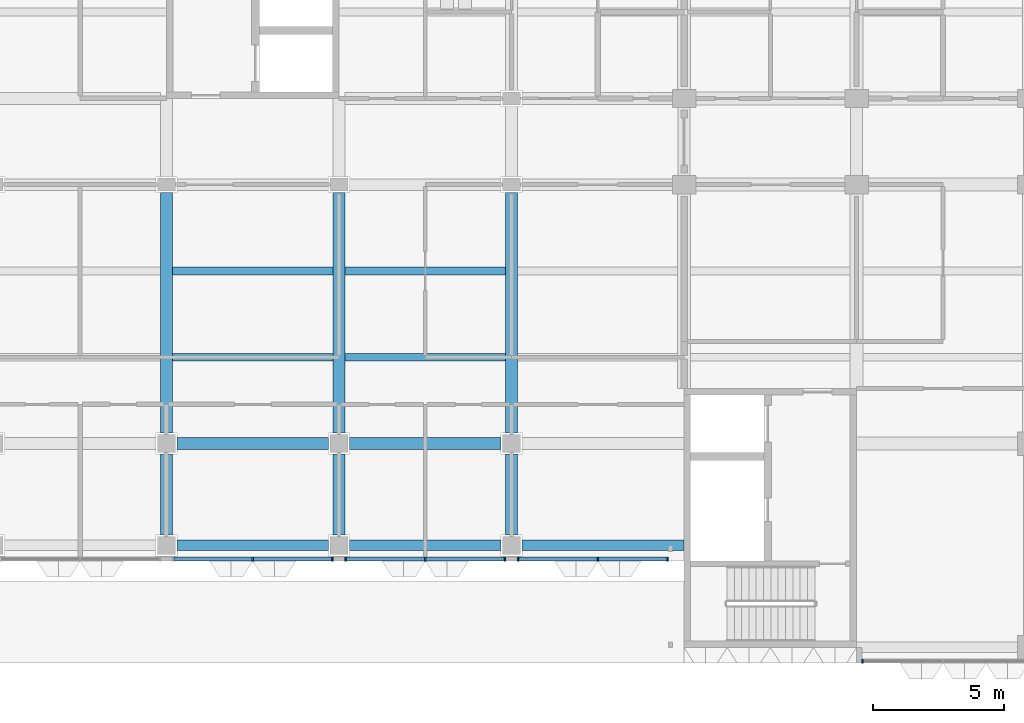
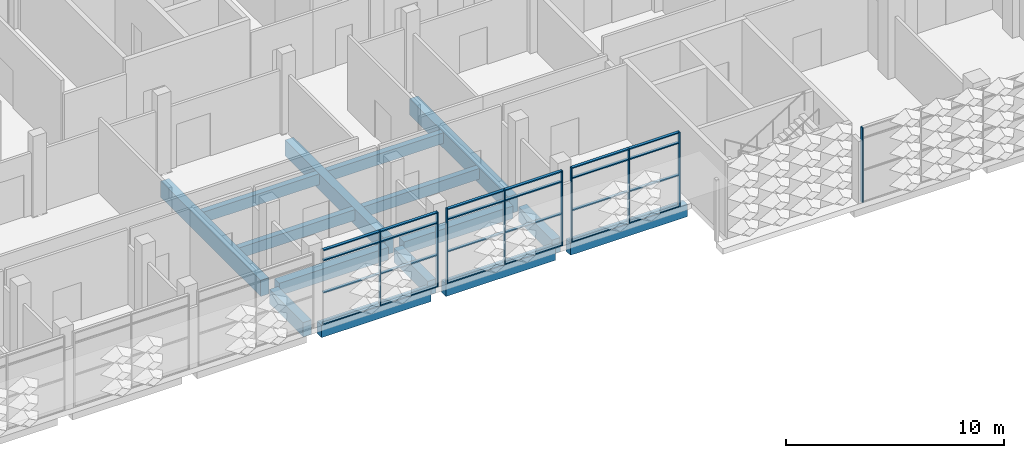
# One storey, part 9 of 109: 33 members, 15 beams, 4 elements without a shape of their own.
"""IFC4 building model written with IfcOpenShell, lengths in metres."""

from ifc_helpers import new_model, si_unit, direction, frame, origin, origin_2d, place, context, subcontext, project, spatial, rectangle, extrude, material, material_profile, profile_set, type_object, element, aggregate, save


model = new_model("IFC4")

# Units and contexts
model_context = context("Model", 3, precision=1e-05, world=origin(), true_north=direction((0.0, 1.0)))
body_context = subcontext(model_context, "Body", "Model", "MODEL_VIEW")
ifc_project = project(units=[si_unit("LENGTHUNIT", "METRE"), si_unit("AREAUNIT", "SQUARE_METRE"), si_unit("VOLUMEUNIT", "CUBIC_METRE"), si_unit("PLANEANGLEUNIT", "RADIAN"), si_unit("MASSUNIT", "GRAM", prefix="KILO")], contexts=[model_context])

# Site, building, storey
site_placement = place(None, origin())
site = spatial("IfcSite", under=ifc_project, at=site_placement, CompositionType="ELEMENT")
building_placement = place(site_placement, origin())
building = spatial("IfcBuilding", under=site, at=building_placement, Name="Lantern Court Research Institute", CompositionType="ELEMENT")
storey_placement = place(building_placement, frame((0.0, 0.0, 14.39990234375)))
storey = spatial("IfcBuildingStorey", under=building, at=storey_placement, Name="L03", CompositionType="ELEMENT", Elevation=14.39990234375)

# Curtain wall, members
ifc_material_1 = material(Name="Aluminium alloy 6063-T6", Category="aluminium")
curtain_wall_type_1 = type_object("IfcCurtainWallType", Name="Curtain wall 6150 x 4200 x 150 aluminium frame", PredefinedType="NOTDEFINED", material=ifc_material_1)
curtain_wall_1_placement = place(storey_placement, origin())
curtain_wall_1 = element("IfcCurtainWall", 1, at=curtain_wall_1_placement, inside=storey, type_object=curtain_wall_type_1, Name="Curtain wall CW053", PredefinedType="NOTDEFINED")
ifc_material_2 = material(Name="Aluminium alloy 6063-T6", Category="aluminium")
ifc_material_profile_1 = material_profile(ifc_material_2, rectangle(XDim=0.14990234375, YDim=0.06005859375, at=origin_2d()), Name="Mullion 150 x 60")
ifc_profile_set_1 = profile_set([ifc_material_profile_1], Name="Aluminium alloy 6063-T6")
member_type_1 = type_object("IfcMemberType", Name="Mullion 150 x 60 aluminium", PredefinedType="MULLION", material=ifc_profile_set_1)
member_1_placement = place(storey_placement, frame((36.300048828125, -4.425048828125, 0.0), z_axis=(0.0, 0.0, 1.0), x_axis=(0.0, -1.0, 0.0)))
member_1 = element("IfcMember", 2, at=member_1_placement, type_object=member_type_1, Name="CW053 mullion 2", PredefinedType="MULLION", context=body_context, shape_type="SweptSolid", body=[
    extrude(rectangle(XDim=0.14990234375, YDim=0.06005859375, at=origin_2d()), origin(), (0.0, 0.0, 1.0), 4.2001953125),
])
member_2_placement = place(storey_placement, frame((39.344970703125, -4.425048828125, 0.0), z_axis=(0.0, 0.0, 1.0), x_axis=(0.0, -1.0, 0.0)))
member_2 = element("IfcMember", 3, at=member_2_placement, type_object=member_type_1, Name="CW053 mullion 3", PredefinedType="MULLION", context=body_context, shape_type="SweptSolid", body=[
    extrude(rectangle(XDim=0.14990234375, YDim=0.06005859375, at=origin_2d()), origin(), (0.0, 0.0, 1.0), 4.2001953125),
])

curtain_wall_2_placement = place(storey_placement, origin())
curtain_wall_2 = element("IfcCurtainWall", 4, at=curtain_wall_2_placement, inside=storey, type_object=curtain_wall_type_1, Name="Curtain wall CW054", PredefinedType="NOTDEFINED")
member_3_placement = place(storey_placement, frame((39.85498046875, -4.425048828125, 0.0), z_axis=(0.0, 0.0, 1.0), x_axis=(0.0, -1.0, 0.0)))
member_3 = element("IfcMember", 5, at=member_3_placement, type_object=member_type_1, Name="CW054 mullion 1", PredefinedType="MULLION", context=body_context, shape_type="SweptSolid", body=[
    extrude(rectangle(XDim=0.14990234375, YDim=0.06005859375, at=origin_2d()), origin(), (0.0, 0.0, 1.0), 4.2001953125),
])
member_4_placement = place(storey_placement, frame((42.89990234375, -4.425048828125, 0.0), z_axis=(0.0, 0.0, 1.0), x_axis=(0.0, -1.0, 0.0)))
member_4 = element("IfcMember", 6, at=member_4_placement, type_object=member_type_1, Name="CW054 mullion 2", PredefinedType="MULLION", context=body_context, shape_type="SweptSolid", body=[
    extrude(rectangle(XDim=0.14990234375, YDim=0.06005859375, at=origin_2d()), origin(), (0.0, 0.0, 1.0), 4.2001953125),
])
member_5_placement = place(storey_placement, frame((45.945068359375, -4.425048828125, 0.0), z_axis=(0.0, 0.0, 1.0), x_axis=(0.0, -1.0, 0.0)))
member_5 = element("IfcMember", 7, at=member_5_placement, type_object=member_type_1, Name="CW054 mullion 3", PredefinedType="MULLION", context=body_context, shape_type="SweptSolid", body=[
    extrude(rectangle(XDim=0.14990234375, YDim=0.06005859375, at=origin_2d()), origin(), (0.0, 0.0, 1.0), 4.2001953125),
])

ifc_material_3 = material(Name="Aluminium alloy 6063-T6", Category="aluminium")
curtain_wall_type_2 = type_object("IfcCurtainWallType", Name="Curtain wall 5775 x 4200 x 150 aluminium frame", PredefinedType="NOTDEFINED", material=ifc_material_3)
curtain_wall_3_placement = place(storey_placement, origin())
curtain_wall_3 = element("IfcCurtainWall", 8, at=curtain_wall_3_placement, inside=storey, type_object=curtain_wall_type_2, Name="Curtain wall CW055", PredefinedType="NOTDEFINED")
member_6_placement = place(storey_placement, frame((46.455078125, -4.425048828125, 0.0), z_axis=(0.0, 0.0, 1.0), x_axis=(0.0, -1.0, 0.0)))
member_6 = element("IfcMember", 9, at=member_6_placement, type_object=member_type_1, Name="CW055 mullion 1", PredefinedType="MULLION", context=body_context, shape_type="SweptSolid", body=[
    extrude(rectangle(XDim=0.14990234375, YDim=0.06005859375, at=origin_2d()), origin(), (0.0, 0.0, 1.0), 4.2001953125),
])
member_7_placement = place(storey_placement, frame((49.5, -4.425048828125, 0.0), z_axis=(0.0, 0.0, 1.0), x_axis=(0.0, -1.0, 0.0)))
member_7 = element("IfcMember", 10, at=member_7_placement, type_object=member_type_1, Name="CW055 mullion 2", PredefinedType="MULLION", context=body_context, shape_type="SweptSolid", body=[
    extrude(rectangle(XDim=0.14990234375, YDim=0.06005859375, at=origin_2d()), origin(), (0.0, 0.0, 1.0), 4.2001953125),
])
member_8_placement = place(storey_placement, frame((52.169921875, -4.425048828125, 0.0), z_axis=(0.0, 0.0, 1.0), x_axis=(0.0, -1.0, 0.0)))
member_8 = element("IfcMember", 11, at=member_8_placement, type_object=member_type_1, Name="CW055 mullion 3", PredefinedType="MULLION", context=body_context, shape_type="SweptSolid", body=[
    extrude(rectangle(XDim=0.14990234375, YDim=0.06005859375, at=origin_2d()), origin(), (0.0, 0.0, 1.0), 4.2001953125),
])

# Curtain wall, member
ifc_material_4 = material(Name="Aluminium alloy 6063-T6", Category="aluminium")
curtain_wall_type_3 = type_object("IfcCurtainWallType", Name="Curtain wall 20200 x 4200 x 150 aluminium frame", PredefinedType="NOTDEFINED", material=ifc_material_4)
curtain_wall_4_placement = place(storey_placement, origin())
curtain_wall_4 = element("IfcCurtainWall", 12, at=curtain_wall_4_placement, inside=storey, type_object=curtain_wall_type_3, Name="Curtain wall CW059", PredefinedType="NOTDEFINED")
member_9_placement = place(storey_placement, frame((59.6298828125, -8.324951171875, 0.0), z_axis=(0.0, 0.0, 1.0), x_axis=(0.0, -1.0, 0.0)))
member_9 = element("IfcMember", 13, at=member_9_placement, type_object=member_type_1, Name="CW059 mullion 1", PredefinedType="MULLION", context=body_context, shape_type="SweptSolid", body=[
    extrude(rectangle(XDim=0.14990234375, YDim=0.06005859375, at=origin_2d()), origin(), (0.0, 0.0, 1.0), 4.2001953125),
])
aggregate(curtain_wall_4, [member_9])

# Beams
ifc_material_5 = material(Name="Concrete C40/50", Category="concrete")
ifc_material_profile_2 = material_profile(ifc_material_5, rectangle(XDim=0.449951171875, YDim=0.699951171875, at=origin_2d()), Name="RC beam 450 x 700")
ifc_profile_set_2 = profile_set([ifc_material_profile_2], Name="Concrete C40/50")
beam_type_1 = type_object("IfcBeamType", Name="RC beam 450 x 700", PredefinedType="BEAM", material=ifc_profile_set_2)
for number, where, z_axis, x_axis, name in (
    (14, (33.39990234375, 0.0, -0.64990234375), (1.0, 0.0, 0.0), (0.0, 1.0, 0.0), "Beam L03 grid A/6-7"),
    (15, (40.0, 0.0, -0.64990234375), (1.0, 0.0, 0.0), (0.0, 1.0, 0.0), "Beam L03 grid A/7-8"),
):
    element("IfcBeam", number, at=place(storey_placement, frame(where, z_axis=z_axis, x_axis=x_axis)), inside=storey, type_object=beam_type_1, Name=name, PredefinedType="BEAM", context=body_context, shape_type="SweptSolid", body=[
        extrude(rectangle(XDim=0.449951171875, YDim=0.699951171875, at=origin_2d()), origin(), (0.0, 0.0, 1.0), 5.800048828125),
    ])
ifc_material_6 = material(Name="Concrete C40/50", Category="concrete")
ifc_material_profile_3 = material_profile(ifc_material_6, rectangle(XDim=0.39990234375, YDim=0.699951171875, at=origin_2d()), Name="RC beam 400 x 700")
ifc_profile_set_3 = profile_set([ifc_material_profile_3], Name="Concrete C40/50")
beam_type_2 = type_object("IfcBeamType", Name="RC edge beam 400 x 700", PredefinedType="BEAM", material=ifc_profile_set_3)
for number, where, z_axis, x_axis, name in (
    (16, (33.39990234375, -3.89990234375, -0.64990234375), (1.0, 0.0, 0.0), (0.0, 1.0, 0.0), "Edge beam L03 grid Y/6-7"),
    (17, (40.0, -3.89990234375, -0.64990234375), (1.0, 0.0, 0.0), (0.0, 1.0, 0.0), "Edge beam L03 grid Y/7-8"),
):
    element("IfcBeam", number, at=place(storey_placement, frame(where, z_axis=z_axis, x_axis=x_axis)), inside=storey, type_object=beam_type_2, Name=name, PredefinedType="BEAM", context=body_context, shape_type="SweptSolid", body=[
        extrude(rectangle(XDim=0.39990234375, YDim=0.699951171875, at=origin_2d()), origin(), (0.0, 0.0, 1.0), 5.800048828125),
    ])
beam_1_placement = place(storey_placement, frame((46.60009765625, -3.89990234375, -0.64990234375), z_axis=(1.0, 0.0, 0.0), x_axis=(0.0, 1.0, 0.0)))
element("IfcBeam", 18, at=beam_1_placement, inside=storey, type_object=beam_type_2, Name="Edge beam L03 grid Y/8-9", PredefinedType="BEAM", context=body_context, shape_type="SweptSolid", body=[
    extrude(rectangle(XDim=0.39990234375, YDim=0.699951171875, at=origin_2d()), origin(), (0.0, 0.0, 1.0), 6.199951171875),
])
ifc_material_7 = material(Name="Concrete C40/50", Category="concrete")
ifc_material_profile_4 = material_profile(ifc_material_7, rectangle(XDim=0.449951171875, YDim=0.800048828125, at=origin_2d()), Name="RC beam 450 x 800")
ifc_profile_set_4 = profile_set([ifc_material_profile_4], Name="Concrete C40/50")
beam_type_3 = type_object("IfcBeamType", Name="RC girder 450 x 800", PredefinedType="BEAM", material=ifc_profile_set_4)
for number, where, z_axis, x_axis, name in (
    (19, (33.0, -3.5, -0.699951171875), (0.0, 1.0, 0.0), (-1.0, 0.0, 0.0), "Girder L03 grid 6/Y-A"),
    (20, (39.60009765625, -3.5, -0.699951171875), (0.0, 1.0, 0.0), (-1.0, 0.0, 0.0), "Girder L03 grid 7/Y-A"),
    (21, (46.199951171875, -3.5, -0.699951171875), (0.0, 1.0, 0.0), (-1.0, 0.0, 0.0), "Girder L03 grid 8/Y-A"),
):
    element("IfcBeam", number, at=place(storey_placement, frame(where, z_axis=z_axis, x_axis=x_axis)), inside=storey, type_object=beam_type_3, Name=name, PredefinedType="BEAM", context=body_context, shape_type="SweptSolid", body=[
        extrude(rectangle(XDim=0.449951171875, YDim=0.800048828125, at=origin_2d()), origin(), (0.0, 0.0, 1.0), 3.10009765625),
    ])
ifc_material_8 = material(Name="Concrete C40/50", Category="concrete")
ifc_material_profile_5 = material_profile(ifc_material_8, rectangle(XDim=0.449951171875, YDim=0.89990234375, at=origin_2d()), Name="RC beam 450 x 900")
ifc_profile_set_5 = profile_set([ifc_material_profile_5], Name="Concrete C40/50")
beam_type_4 = type_object("IfcBeamType", Name="RC girder 450 x 900", PredefinedType="BEAM", material=ifc_profile_set_5)
for number, where, z_axis, x_axis, name in (
    (22, (33.0, 0.39990234375, -0.75), (0.0, 1.0, 0.0), (-1.0, 0.0, 0.0), "Girder L03 grid 6/A-B"),
    (23, (39.60009765625, 0.39990234375, -0.75), (0.0, 1.0, 0.0), (-1.0, 0.0, 0.0), "Girder L03 grid 7/A-B"),
    (24, (46.199951171875, 0.39990234375, -0.75), (0.0, 1.0, 0.0), (-1.0, 0.0, 0.0), "Girder L03 grid 8/A-B"),
):
    element("IfcBeam", number, at=place(storey_placement, frame(where, z_axis=z_axis, x_axis=x_axis)), inside=storey, type_object=beam_type_4, Name=name, PredefinedType="BEAM", context=body_context, shape_type="SweptSolid", body=[
        extrude(rectangle(XDim=0.449951171875, YDim=0.89990234375, at=origin_2d()), origin(), (0.0, 0.0, 1.0), 9.2001953125),
    ])
ifc_material_9 = material(Name="Concrete C40/50", Category="concrete")
ifc_material_profile_6 = material_profile(ifc_material_9, rectangle(XDim=0.300048828125, YDim=0.60009765625, at=origin_2d()), Name="RC beam 300 x 600")
ifc_profile_set_6 = profile_set([ifc_material_profile_6], Name="Concrete C40/50")
beam_type_5 = type_object("IfcBeamType", Name="RC secondary beam 300 x 600", PredefinedType="BEAM", material=ifc_profile_set_6)
beam_2_placement = place(storey_placement, frame((33.22509765625, 3.300048828125, -0.599853515625), z_axis=(1.0, 0.0, 0.0), x_axis=(0.0, 1.0, 0.0)))
element("IfcBeam", 25, at=beam_2_placement, inside=storey, type_object=beam_type_5, Name="Secondary beam L03 grids 6-7 / A-B, line 1", PredefinedType="BEAM", context=body_context, shape_type="SweptSolid", body=[
    extrude(rectangle(XDim=0.300048828125, YDim=0.60009765625, at=origin_2d()), origin(), (0.0, 0.0, 1.0), 6.14990234375),
])
beam_3_placement = place(storey_placement, frame((39.824951171875, 3.300048828125, -0.599853515625), z_axis=(1.0, 0.0, 0.0), x_axis=(0.0, 1.0, 0.0)))
element("IfcBeam", 26, at=beam_3_placement, inside=storey, type_object=beam_type_5, Name="Secondary beam L03 grids 7-8 / A-B, line 1", PredefinedType="BEAM", context=body_context, shape_type="SweptSolid", body=[
    extrude(rectangle(XDim=0.300048828125, YDim=0.60009765625, at=origin_2d()), origin(), (0.0, 0.0, 1.0), 6.150146484375),
])
beam_4_placement = place(storey_placement, frame((33.22509765625, 6.60009765625, -0.599853515625), z_axis=(1.0, 0.0, 0.0), x_axis=(0.0, 1.0, 0.0)))
element("IfcBeam", 27, at=beam_4_placement, inside=storey, type_object=beam_type_5, Name="Secondary beam L03 grids 6-7 / A-B, line 2", PredefinedType="BEAM", context=body_context, shape_type="SweptSolid", body=[
    extrude(rectangle(XDim=0.300048828125, YDim=0.60009765625, at=origin_2d()), origin(), (0.0, 0.0, 1.0), 6.14990234375),
])
beam_5_placement = place(storey_placement, frame((39.824951171875, 6.60009765625, -0.599853515625), z_axis=(1.0, 0.0, 0.0), x_axis=(0.0, 1.0, 0.0)))
element("IfcBeam", 28, at=beam_5_placement, inside=storey, type_object=beam_type_5, Name="Secondary beam L03 grids 7-8 / A-B, line 2", PredefinedType="BEAM", context=body_context, shape_type="SweptSolid", body=[
    extrude(rectangle(XDim=0.300048828125, YDim=0.60009765625, at=origin_2d()), origin(), (0.0, 0.0, 1.0), 6.150146484375),
])

# Member
ifc_material_10 = material(Name="Aluminium alloy 6063-T6", Category="aluminium")
ifc_material_profile_7 = material_profile(ifc_material_10, rectangle(XDim=0.14990234375, YDim=0.06005859375, at=origin_2d()), Name="Transom 150 x 60")
ifc_profile_set_7 = profile_set([ifc_material_profile_7], Name="Aluminium alloy 6063-T6")
member_type_2 = type_object("IfcMemberType", Name="Transom 150 x 60 aluminium", PredefinedType="USERDEFINED", material=ifc_profile_set_7)
member_10_placement = place(storey_placement, frame((36.27001953125, -4.425048828125, 0.030029296875), z_axis=(-1.0, 0.0, 0.0), x_axis=(0.0, -1.0, 0.0)))
member_10 = element("IfcMember", 29, at=member_10_placement, type_object=member_type_2, Name="CW053 transom 1.1", ObjectType="TRANSOM", PredefinedType="USERDEFINED", context=body_context, shape_type="SweptSolid", body=[
    extrude(rectangle(XDim=0.14990234375, YDim=0.06005859375, at=origin_2d()), origin(), (0.0, 0.0, 1.0), 2.985107421875),
])

member_11_placement = place(storey_placement, frame((36.27001953125, -4.425048828125, 1.800048828125), z_axis=(-1.0, 0.0, 0.0), x_axis=(0.0, -1.0, 0.0)))
member_11 = element("IfcMember", 30, at=member_11_placement, type_object=member_type_2, Name="CW053 transom 1.2", ObjectType="TRANSOM", PredefinedType="USERDEFINED", context=body_context, shape_type="SweptSolid", body=[
    extrude(rectangle(XDim=0.14990234375, YDim=0.06005859375, at=origin_2d()), origin(), (0.0, 0.0, 1.0), 2.985107421875),
])

member_12_placement = place(storey_placement, frame((36.27001953125, -4.425048828125, 3.60009765625), z_axis=(-1.0, 0.0, 0.0), x_axis=(0.0, -1.0, 0.0)))
member_12 = element("IfcMember", 31, at=member_12_placement, type_object=member_type_2, Name="CW053 transom 1.3", ObjectType="TRANSOM", PredefinedType="USERDEFINED", context=body_context, shape_type="SweptSolid", body=[
    extrude(rectangle(XDim=0.14990234375, YDim=0.06005859375, at=origin_2d()), origin(), (0.0, 0.0, 1.0), 2.985107421875),
])

member_13_placement = place(storey_placement, frame((36.27001953125, -4.425048828125, 4.170166015625), z_axis=(-1.0, 0.0, 0.0), x_axis=(0.0, -1.0, 0.0)))
member_13 = element("IfcMember", 32, at=member_13_placement, type_object=member_type_2, Name="CW053 transom 1.4", ObjectType="TRANSOM", PredefinedType="USERDEFINED", context=body_context, shape_type="SweptSolid", body=[
    extrude(rectangle(XDim=0.14990234375, YDim=0.06005859375, at=origin_2d()), origin(), (0.0, 0.0, 1.0), 2.985107421875),
])

member_14_placement = place(storey_placement, frame((39.31494140625, -4.425048828125, 0.030029296875), z_axis=(-1.0, 0.0, 0.0), x_axis=(0.0, -1.0, 0.0)))
member_14 = element("IfcMember", 33, at=member_14_placement, type_object=member_type_2, Name="CW053 transom 2.1", ObjectType="TRANSOM", PredefinedType="USERDEFINED", context=body_context, shape_type="SweptSolid", body=[
    extrude(rectangle(XDim=0.14990234375, YDim=0.06005859375, at=origin_2d()), origin(), (0.0, 0.0, 1.0), 2.98486328125),
])

member_15_placement = place(storey_placement, frame((39.31494140625, -4.425048828125, 1.800048828125), z_axis=(-1.0, 0.0, 0.0), x_axis=(0.0, -1.0, 0.0)))
member_15 = element("IfcMember", 34, at=member_15_placement, type_object=member_type_2, Name="CW053 transom 2.2", ObjectType="TRANSOM", PredefinedType="USERDEFINED", context=body_context, shape_type="SweptSolid", body=[
    extrude(rectangle(XDim=0.14990234375, YDim=0.06005859375, at=origin_2d()), origin(), (0.0, 0.0, 1.0), 2.98486328125),
])

member_16_placement = place(storey_placement, frame((39.31494140625, -4.425048828125, 3.60009765625), z_axis=(-1.0, 0.0, 0.0), x_axis=(0.0, -1.0, 0.0)))
member_16 = element("IfcMember", 35, at=member_16_placement, type_object=member_type_2, Name="CW053 transom 2.3", ObjectType="TRANSOM", PredefinedType="USERDEFINED", context=body_context, shape_type="SweptSolid", body=[
    extrude(rectangle(XDim=0.14990234375, YDim=0.06005859375, at=origin_2d()), origin(), (0.0, 0.0, 1.0), 2.98486328125),
])

member_17_placement = place(storey_placement, frame((39.31494140625, -4.425048828125, 4.170166015625), z_axis=(-1.0, 0.0, 0.0), x_axis=(0.0, -1.0, 0.0)))
member_17 = element("IfcMember", 36, at=member_17_placement, type_object=member_type_2, Name="CW053 transom 2.4", ObjectType="TRANSOM", PredefinedType="USERDEFINED", context=body_context, shape_type="SweptSolid", body=[
    extrude(rectangle(XDim=0.14990234375, YDim=0.06005859375, at=origin_2d()), origin(), (0.0, 0.0, 1.0), 2.98486328125),
])

aggregate(curtain_wall_1, [member_1, member_2, member_10, member_11, member_12, member_13, member_14, member_15, member_16, member_17])

member_18_placement = place(storey_placement, frame((42.8701171875, -4.425048828125, 0.030029296875), z_axis=(-1.0, 0.0, 0.0), x_axis=(0.0, -1.0, 0.0)))
member_18 = element("IfcMember", 37, at=member_18_placement, type_object=member_type_2, Name="CW054 transom 1.1", ObjectType="TRANSOM", PredefinedType="USERDEFINED", context=body_context, shape_type="SweptSolid", body=[
    extrude(rectangle(XDim=0.14990234375, YDim=0.06005859375, at=origin_2d()), origin(), (0.0, 0.0, 1.0), 2.985107421875),
])

member_19_placement = place(storey_placement, frame((42.8701171875, -4.425048828125, 1.800048828125), z_axis=(-1.0, 0.0, 0.0), x_axis=(0.0, -1.0, 0.0)))
member_19 = element("IfcMember", 38, at=member_19_placement, type_object=member_type_2, Name="CW054 transom 1.2", ObjectType="TRANSOM", PredefinedType="USERDEFINED", context=body_context, shape_type="SweptSolid", body=[
    extrude(rectangle(XDim=0.14990234375, YDim=0.06005859375, at=origin_2d()), origin(), (0.0, 0.0, 1.0), 2.985107421875),
])

member_20_placement = place(storey_placement, frame((42.8701171875, -4.425048828125, 3.60009765625), z_axis=(-1.0, 0.0, 0.0), x_axis=(0.0, -1.0, 0.0)))
member_20 = element("IfcMember", 39, at=member_20_placement, type_object=member_type_2, Name="CW054 transom 1.3", ObjectType="TRANSOM", PredefinedType="USERDEFINED", context=body_context, shape_type="SweptSolid", body=[
    extrude(rectangle(XDim=0.14990234375, YDim=0.06005859375, at=origin_2d()), origin(), (0.0, 0.0, 1.0), 2.985107421875),
])

member_21_placement = place(storey_placement, frame((42.8701171875, -4.425048828125, 4.170166015625), z_axis=(-1.0, 0.0, 0.0), x_axis=(0.0, -1.0, 0.0)))
member_21 = element("IfcMember", 40, at=member_21_placement, type_object=member_type_2, Name="CW054 transom 1.4", ObjectType="TRANSOM", PredefinedType="USERDEFINED", context=body_context, shape_type="SweptSolid", body=[
    extrude(rectangle(XDim=0.14990234375, YDim=0.06005859375, at=origin_2d()), origin(), (0.0, 0.0, 1.0), 2.985107421875),
])

member_22_placement = place(storey_placement, frame((45.9150390625, -4.425048828125, 0.030029296875), z_axis=(-1.0, 0.0, 0.0), x_axis=(0.0, -1.0, 0.0)))
member_22 = element("IfcMember", 41, at=member_22_placement, type_object=member_type_2, Name="CW054 transom 2.1", ObjectType="TRANSOM", PredefinedType="USERDEFINED", context=body_context, shape_type="SweptSolid", body=[
    extrude(rectangle(XDim=0.14990234375, YDim=0.06005859375, at=origin_2d()), origin(), (0.0, 0.0, 1.0), 2.985107421875),
])

member_23_placement = place(storey_placement, frame((45.9150390625, -4.425048828125, 1.800048828125), z_axis=(-1.0, 0.0, 0.0), x_axis=(0.0, -1.0, 0.0)))
member_23 = element("IfcMember", 42, at=member_23_placement, type_object=member_type_2, Name="CW054 transom 2.2", ObjectType="TRANSOM", PredefinedType="USERDEFINED", context=body_context, shape_type="SweptSolid", body=[
    extrude(rectangle(XDim=0.14990234375, YDim=0.06005859375, at=origin_2d()), origin(), (0.0, 0.0, 1.0), 2.985107421875),
])

member_24_placement = place(storey_placement, frame((45.9150390625, -4.425048828125, 3.60009765625), z_axis=(-1.0, 0.0, 0.0), x_axis=(0.0, -1.0, 0.0)))
member_24 = element("IfcMember", 43, at=member_24_placement, type_object=member_type_2, Name="CW054 transom 2.3", ObjectType="TRANSOM", PredefinedType="USERDEFINED", context=body_context, shape_type="SweptSolid", body=[
    extrude(rectangle(XDim=0.14990234375, YDim=0.06005859375, at=origin_2d()), origin(), (0.0, 0.0, 1.0), 2.985107421875),
])

member_25_placement = place(storey_placement, frame((45.9150390625, -4.425048828125, 4.170166015625), z_axis=(-1.0, 0.0, 0.0), x_axis=(0.0, -1.0, 0.0)))
member_25 = element("IfcMember", 44, at=member_25_placement, type_object=member_type_2, Name="CW054 transom 2.4", ObjectType="TRANSOM", PredefinedType="USERDEFINED", context=body_context, shape_type="SweptSolid", body=[
    extrude(rectangle(XDim=0.14990234375, YDim=0.06005859375, at=origin_2d()), origin(), (0.0, 0.0, 1.0), 2.985107421875),
])

aggregate(curtain_wall_2, [member_3, member_4, member_5, member_18, member_19, member_20, member_21, member_22, member_23, member_24, member_25])

member_26_placement = place(storey_placement, frame((49.469970703125, -4.425048828125, 0.030029296875), z_axis=(-1.0, 0.0, 0.0), x_axis=(0.0, -1.0, 0.0)))
member_26 = element("IfcMember", 45, at=member_26_placement, type_object=member_type_2, Name="CW055 transom 1.1", ObjectType="TRANSOM", PredefinedType="USERDEFINED", context=body_context, shape_type="SweptSolid", body=[
    extrude(rectangle(XDim=0.14990234375, YDim=0.06005859375, at=origin_2d()), origin(), (0.0, 0.0, 1.0), 2.98486328125),
])

member_27_placement = place(storey_placement, frame((49.469970703125, -4.425048828125, 1.800048828125), z_axis=(-1.0, 0.0, 0.0), x_axis=(0.0, -1.0, 0.0)))
member_27 = element("IfcMember", 46, at=member_27_placement, type_object=member_type_2, Name="CW055 transom 1.2", ObjectType="TRANSOM", PredefinedType="USERDEFINED", context=body_context, shape_type="SweptSolid", body=[
    extrude(rectangle(XDim=0.14990234375, YDim=0.06005859375, at=origin_2d()), origin(), (0.0, 0.0, 1.0), 2.98486328125),
])

member_28_placement = place(storey_placement, frame((49.469970703125, -4.425048828125, 3.60009765625), z_axis=(-1.0, 0.0, 0.0), x_axis=(0.0, -1.0, 0.0)))
member_28 = element("IfcMember", 47, at=member_28_placement, type_object=member_type_2, Name="CW055 transom 1.3", ObjectType="TRANSOM", PredefinedType="USERDEFINED", context=body_context, shape_type="SweptSolid", body=[
    extrude(rectangle(XDim=0.14990234375, YDim=0.06005859375, at=origin_2d()), origin(), (0.0, 0.0, 1.0), 2.98486328125),
])

member_29_placement = place(storey_placement, frame((49.469970703125, -4.425048828125, 4.170166015625), z_axis=(-1.0, 0.0, 0.0), x_axis=(0.0, -1.0, 0.0)))
member_29 = element("IfcMember", 48, at=member_29_placement, type_object=member_type_2, Name="CW055 transom 1.4", ObjectType="TRANSOM", PredefinedType="USERDEFINED", context=body_context, shape_type="SweptSolid", body=[
    extrude(rectangle(XDim=0.14990234375, YDim=0.06005859375, at=origin_2d()), origin(), (0.0, 0.0, 1.0), 2.98486328125),
])

member_30_placement = place(storey_placement, frame((52.139892578125, -4.425048828125, 0.030029296875), z_axis=(-1.0, 0.0, 0.0), x_axis=(0.0, -1.0, 0.0)))
member_30 = element("IfcMember", 49, at=member_30_placement, type_object=member_type_2, Name="CW055 transom 2.1", ObjectType="TRANSOM", PredefinedType="USERDEFINED", context=body_context, shape_type="SweptSolid", body=[
    extrude(rectangle(XDim=0.14990234375, YDim=0.06005859375, at=origin_2d()), origin(), (0.0, 0.0, 1.0), 2.60986328125),
])

member_31_placement = place(storey_placement, frame((52.139892578125, -4.425048828125, 1.800048828125), z_axis=(-1.0, 0.0, 0.0), x_axis=(0.0, -1.0, 0.0)))
member_31 = element("IfcMember", 50, at=member_31_placement, type_object=member_type_2, Name="CW055 transom 2.2", ObjectType="TRANSOM", PredefinedType="USERDEFINED", context=body_context, shape_type="SweptSolid", body=[
    extrude(rectangle(XDim=0.14990234375, YDim=0.06005859375, at=origin_2d()), origin(), (0.0, 0.0, 1.0), 2.60986328125),
])

member_32_placement = place(storey_placement, frame((52.139892578125, -4.425048828125, 3.60009765625), z_axis=(-1.0, 0.0, 0.0), x_axis=(0.0, -1.0, 0.0)))
member_32 = element("IfcMember", 51, at=member_32_placement, type_object=member_type_2, Name="CW055 transom 2.3", ObjectType="TRANSOM", PredefinedType="USERDEFINED", context=body_context, shape_type="SweptSolid", body=[
    extrude(rectangle(XDim=0.14990234375, YDim=0.06005859375, at=origin_2d()), origin(), (0.0, 0.0, 1.0), 2.60986328125),
])

member_33_placement = place(storey_placement, frame((52.139892578125, -4.425048828125, 4.170166015625), z_axis=(-1.0, 0.0, 0.0), x_axis=(0.0, -1.0, 0.0)))
member_33 = element("IfcMember", 52, at=member_33_placement, type_object=member_type_2, Name="CW055 transom 2.4", ObjectType="TRANSOM", PredefinedType="USERDEFINED", context=body_context, shape_type="SweptSolid", body=[
    extrude(rectangle(XDim=0.14990234375, YDim=0.06005859375, at=origin_2d()), origin(), (0.0, 0.0, 1.0), 2.60986328125),
])

aggregate(curtain_wall_3, [member_6, member_7, member_8, member_26, member_27, member_28, member_29, member_30, member_31, member_32, member_33])

save(model, "model.ifc")
